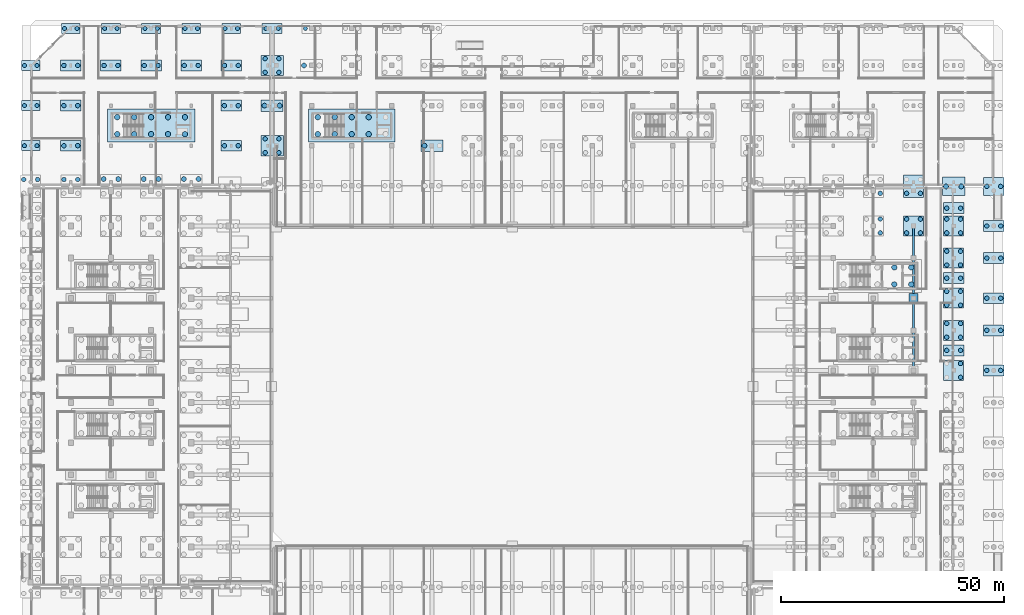
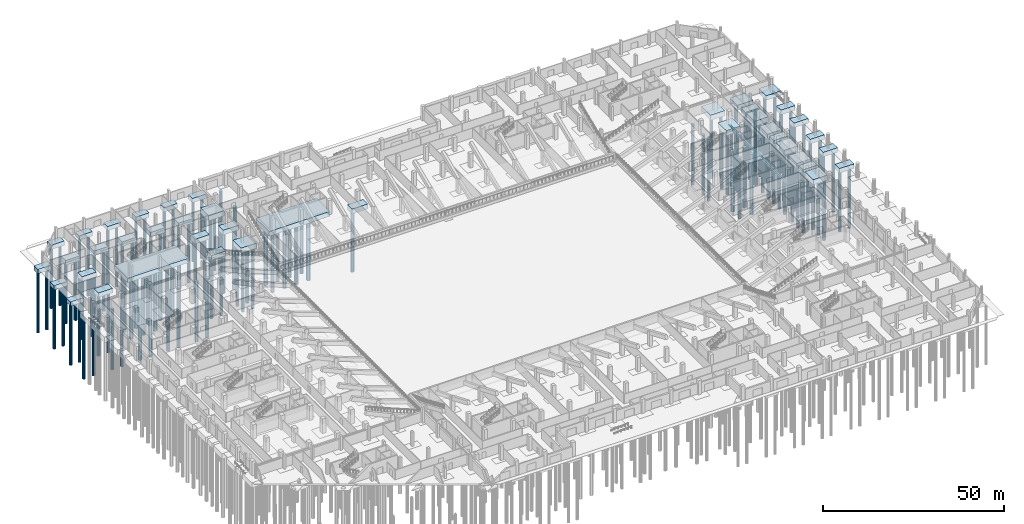
# One storey, part 6 of 53: 128 piles, 43 footings.
"""IFC4 building model written with IfcOpenShell, lengths in metres."""

from ifc_helpers import new_model, si_unit, direction, frame, origin, origin_2d, place, context, subcontext, project, spatial, rectangle, circle, extrude, material, layer, layer_set, material_profile, profile_set, type_object, element, save


model = new_model("IFC4")

# Units and contexts
model_context = context("Model", 3, precision=1e-05, world=origin(), true_north=direction((0.0, 1.0)))
body_context = subcontext(model_context, "Body", "Model", "MODEL_VIEW")
ifc_project = project(units=[si_unit("LENGTHUNIT", "METRE"), si_unit("AREAUNIT", "SQUARE_METRE"), si_unit("VOLUMEUNIT", "CUBIC_METRE"), si_unit("PLANEANGLEUNIT", "RADIAN"), si_unit("MASSUNIT", "GRAM", prefix="KILO"), si_unit("THERMODYNAMICTEMPERATUREUNIT", "KELVIN"), si_unit("POWERUNIT", "WATT")], contexts=[model_context])

# Site, building, storey
site_placement = place(None, origin())
site = spatial("IfcSite", under=ifc_project, at=site_placement, CompositionType="ELEMENT")
building_placement = place(site_placement, origin())
building = spatial("IfcBuilding", under=site, at=building_placement, Name="Sindhuravela Promenade Stadium", CompositionType="ELEMENT")
storey_placement = place(building_placement, origin())
storey = spatial("IfcBuildingStorey", under=building, at=storey_placement, Name="L00", CompositionType="ELEMENT", Elevation=0.0)

# Footings
ifc_material_1 = material(Name="Concrete M40", Category="concrete")
ifc_material_profile_1 = material_profile(ifc_material_1, rectangle(XDim=0.5, YDim=0.800048828125, at=origin_2d()), Name="RC 500x800")
ifc_profile_set_1 = profile_set([ifc_material_profile_1], Name="Concrete M40")
footing_type_1 = type_object("IfcFootingType", Name="FD-FB-500x800", PredefinedType="FOOTING_BEAM", material=ifc_profile_set_1)
footing_1_placement = place(storey_placement, frame((198.0, 84.60009765625, -0.39990234375), z_axis=(0.0, 1.0, 0.0), x_axis=(-1.0, 0.0, 0.0)))
element("IfcFooting", 1, at=footing_1_placement, inside=storey, type_object=footing_type_1, Name="Ground tie beam FB-TIE-E2", PredefinedType="FOOTING_BEAM", context=body_context, shape_type="SweptSolid", body=[
    extrude(rectangle(XDim=0.5, YDim=0.800048828125, at=origin_2d()), origin(), (0.0, 0.0, 1.0), 32.39990234375),
])
ifc_material_2 = material(Name="Concrete M50", Category="concrete")
ifc_layer_1 = layer(ifc_material_2, 1.60009765625)
ifc_layer_set_1 = layer_set([ifc_layer_1], Name="Concrete M50")
footing_type_2 = type_object("IfcFootingType", Name="FD-PC-19400x7400x1600", PredefinedType="PILE_CAP", material=ifc_layer_set_1)
footing_2_placement = place(storey_placement, frame((72.0, 139.5, -1.60009765625), z_axis=(0.0, 0.0, 1.0), x_axis=(1.0, 0.0, 0.0)))
element("IfcFooting", 2, at=footing_2_placement, inside=storey, type_object=footing_type_2, Name="Core pile cap C09", PredefinedType="PILE_CAP", context=body_context, shape_type="SweptSolid", body=[
    extrude(rectangle(XDim=19.39990234375, YDim=7.39990234375, at=origin_2d()), origin(), (0.0, 0.0, 1.0), 1.60009765625),
])
ifc_layer_2 = layer(ifc_material_2, 1.449951171875)
ifc_layer_set_2 = layer_set([ifc_layer_2], Name="Concrete M50")
footing_type_3 = type_object("IfcFootingType", Name="FD-PC-19600x7400x1450", PredefinedType="PILE_CAP", material=ifc_layer_set_2)
footing_3_placement = place(storey_placement, frame((27.0, 139.5, -1.4501953125), z_axis=(0.0, 0.0, 1.0), x_axis=(1.0, 0.0, 0.0)))
element("IfcFooting", 3, at=footing_3_placement, inside=storey, type_object=footing_type_3, Name="Core pile cap C15", PredefinedType="PILE_CAP", context=body_context, shape_type="SweptSolid", body=[
    extrude(rectangle(XDim=19.60009765625, YDim=7.39990234375, at=origin_2d()), origin(), (0.0, 0.0, 1.0), 1.449951171875),
])
ifc_layer_3 = layer(ifc_material_2, 1.449951171875)
ifc_layer_set_3 = layer_set([ifc_layer_3], Name="Concrete M50")
footing_type_4 = type_object("IfcFootingType", Name="FD-PC-4200x2250x1450", PredefinedType="PILE_CAP", material=ifc_layer_set_3)
for number, where, z_axis, x_axis, name in (
    (4, (0.0, 135.0, -1.4501953125), (0.0, 0.0, 1.0), (1.0, 0.0, 0.0), "Pile cap PC30-0313"),
    (5, (0.0, 144.0, -1.4501953125), (0.0, 0.0, 1.0), (1.0, 0.0, 0.0), "Pile cap PC30-0314"),
    (6, (0.0, 153.0, -1.4501953125), (0.0, 0.0, 1.0), (1.0, 0.0, 0.0), "Pile cap PC30-0315"),
    (7, (9.0, 161.300048828125, -1.4501953125), (0.0, 0.0, 1.0), (1.0, 0.0, 0.0), "Pile cap PC30-0319"),
    (8, (18.0, 161.300048828125, -1.4501953125), (0.0, 0.0, 1.0), (1.0, 0.0, 0.0), "Pile cap PC30-0323"),
    (9, (27.0, 161.300048828125, -1.4501953125), (0.0, 0.0, 1.0), (1.0, 0.0, 0.0), "Pile cap PC30-0327"),
    (10, (36.0, 161.300048828125, -1.4501953125), (0.0, 0.0, 1.0), (1.0, 0.0, 0.0), "Pile cap PC30-0331"),
    (11, (45.0, 161.300048828125, -1.4501953125), (0.0, 0.0, 1.0), (1.0, 0.0, 0.0), "Pile cap PC30-0335"),
):
    element("IfcFooting", number, at=place(storey_placement, frame(where, z_axis=z_axis, x_axis=x_axis)), inside=storey, type_object=footing_type_4, Name=name, PredefinedType="PILE_CAP", context=body_context, shape_type="SweptSolid", body=[
        extrude(rectangle(XDim=4.199951171875, YDim=2.25, at=origin_2d()), origin(), (0.0, 0.0, 1.0), 1.449951171875),
    ])
ifc_layer_4 = layer(ifc_material_2, 1.75)
ifc_layer_set_4 = layer_set([ifc_layer_4], Name="Concrete M50")
footing_type_5 = type_object("IfcFootingType", Name="FD-PC-4500x4500x1750", PredefinedType="PILE_CAP", material=ifc_layer_set_4)
for number, where, z_axis, x_axis, name in (
    (12, (198.0, 117.0, -1.75), (0.0, 0.0, 1.0), (1.0, 0.0, 0.0), "Pile cap PC26-0119"),
    (13, (207.0, 84.60009765625, -1.75), (0.0, 0.0, 1.0), (1.0, 0.0, 0.0), "Pile cap PC26-0127"),
    (14, (207.0, 93.60009765625, -1.75), (0.0, 0.0, 1.0), (1.0, 0.0, 0.0), "Pile cap PC26-0128"),
    (15, (207.0, 100.800048828125, -1.75), (0.0, 0.0, 1.0), (1.0, 0.0, 0.0), "Pile cap PC26-0129"),
    (16, (207.0, 109.800048828125, -1.75), (0.0, 0.0, 1.0), (1.0, 0.0, 0.0), "Pile cap PC26-0130"),
    (17, (207.0, 117.0, -1.75), (0.0, 0.0, 1.0), (1.0, 0.0, 0.0), "Pile cap PC26-0131"),
):
    element("IfcFooting", number, at=place(storey_placement, frame(where, z_axis=z_axis, x_axis=x_axis)), inside=storey, type_object=footing_type_5, Name=name, PredefinedType="PILE_CAP", context=body_context, shape_type="SweptSolid", body=[
        extrude(rectangle(XDim=4.5, YDim=4.5, at=origin_2d()), origin(), (0.0, 0.0, 1.0), 1.75),
    ])
ifc_layer_5 = layer(ifc_material_2, 1.75)
ifc_layer_set_5 = layer_set([ifc_layer_5], Name="Concrete M50")
footing_type_6 = type_object("IfcFootingType", Name="FD-PC-4500x5050x1750", PredefinedType="PILE_CAP", material=ifc_layer_set_5)
footing_4_placement = place(storey_placement, frame((198.0, 125.875, -1.75), z_axis=(0.0, 0.0, 1.0), x_axis=(1.0, 0.0, 0.0)))
element("IfcFooting", 18, at=footing_4_placement, inside=storey, type_object=footing_type_6, Name="Pile cap PC17-0120", PredefinedType="PILE_CAP", context=body_context, shape_type="SweptSolid", body=[
    extrude(rectangle(XDim=4.5, YDim=5.050048828125, at=origin_2d()), origin(), (0.0, 0.0, 1.0), 1.75),
])
ifc_layer_6 = layer(ifc_material_2, 1.449951171875)
ifc_layer_set_6 = layer_set([ifc_layer_6], Name="Concrete M50")
footing_type_7 = type_object("IfcFootingType", Name="FD-PC-4550x2250x1450", PredefinedType="PILE_CAP", material=ifc_layer_set_6)
footing_5_placement = place(storey_placement, frame((54.125, 161.300048828125, -1.4501953125), z_axis=(0.0, 0.0, 1.0), x_axis=(1.0, 0.0, 0.0)))
element("IfcFooting", 19, at=footing_5_placement, inside=storey, type_object=footing_type_7, Name="Pile cap PC29-0149", PredefinedType="PILE_CAP", context=body_context, shape_type="SweptSolid", body=[
    extrude(rectangle(XDim=4.550048828125, YDim=2.25, at=origin_2d()), origin(), (0.0, 0.0, 1.0), 1.449951171875),
])
ifc_layer_7 = layer(ifc_material_2, 1.550048828125)
ifc_layer_set_7 = layer_set([ifc_layer_7], Name="Concrete M50")
footing_type_8 = type_object("IfcFootingType", Name="FD-PC-4600x2450x1550", PredefinedType="PILE_CAP", material=ifc_layer_set_7)
for number, where, z_axis, x_axis, name in (
    (20, (216.0, 84.60009765625, -1.5498046875), (0.0, 0.0, 1.0), (1.0, 0.0, 0.0), "Pile cap PC25-0139"),
    (21, (216.0, 93.60009765625, -1.5498046875), (0.0, 0.0, 1.0), (1.0, 0.0, 0.0), "Pile cap PC25-0140"),
    (22, (216.0, 100.800048828125, -1.5498046875), (0.0, 0.0, 1.0), (1.0, 0.0, 0.0), "Pile cap PC25-0141"),
    (23, (216.0, 109.800048828125, -1.5498046875), (0.0, 0.0, 1.0), (1.0, 0.0, 0.0), "Pile cap PC25-0142"),
    (24, (216.0, 117.0, -1.5498046875), (0.0, 0.0, 1.0), (1.0, 0.0, 0.0), "Pile cap PC25-0143"),
    (25, (9.0, 135.0, -1.5498046875), (0.0, 0.0, 1.0), (1.0, 0.0, 0.0), "Pile cap PC25-0316"),
    (26, (9.0, 144.0, -1.5498046875), (0.0, 0.0, 1.0), (1.0, 0.0, 0.0), "Pile cap PC25-0317"),
    (27, (9.0, 153.0, -1.5498046875), (0.0, 0.0, 1.0), (1.0, 0.0, 0.0), "Pile cap PC25-0318"),
    (28, (18.0, 153.0, -1.5498046875), (0.0, 0.0, 1.0), (1.0, 0.0, 0.0), "Pile cap PC25-0322"),
    (29, (27.0, 153.0, -1.5498046875), (0.0, 0.0, 1.0), (1.0, 0.0, 0.0), "Pile cap PC25-0326"),
    (30, (36.0, 153.0, -1.5498046875), (0.0, 0.0, 1.0), (1.0, 0.0, 0.0), "Pile cap PC25-0330"),
    (31, (45.0, 135.0, -1.5498046875), (0.0, 0.0, 1.0), (1.0, 0.0, 0.0), "Pile cap PC25-0332"),
    (32, (45.0, 144.0, -1.5498046875), (0.0, 0.0, 1.0), (1.0, 0.0, 0.0), "Pile cap PC25-0333"),
    (33, (45.0, 153.0, -1.5498046875), (0.0, 0.0, 1.0), (1.0, 0.0, 0.0), "Pile cap PC25-0334"),
    (34, (207.0, 89.10009765625, -1.5498046875), (0.0, 0.0, 1.0), (1.0, 0.0, 0.0), "Pile cap PC25-0366"),
    (35, (207.0, 105.300048828125, -1.5498046875), (0.0, 0.0, 1.0), (1.0, 0.0, 0.0), "Pile cap PC25-0368"),
    (36, (207.0, 121.0, -1.5498046875), (0.0, 0.0, 1.0), (1.0, 0.0, 0.0), "Pile cap PC25-0370"),
):
    element("IfcFooting", number, at=place(storey_placement, frame(where, z_axis=z_axis, x_axis=x_axis)), inside=storey, type_object=footing_type_8, Name=name, PredefinedType="PILE_CAP", context=body_context, shape_type="SweptSolid", body=[
        extrude(rectangle(XDim=4.60009765625, YDim=2.449951171875, at=origin_2d()), origin(), (0.0, 0.0, 1.0), 1.550048828125),
    ])
ifc_layer_8 = layer(ifc_material_2, 1.550048828125)
ifc_layer_set_8 = layer_set([ifc_layer_8], Name="Concrete M50")
footing_type_9 = type_object("IfcFootingType", Name="FD-PC-4600x4100x1550", PredefinedType="PILE_CAP", material=ifc_layer_set_8)
footing_6_placement = place(storey_placement, frame((216.0, 125.875, -1.5498046875), z_axis=(0.0, 0.0, 1.0), x_axis=(1.0, 0.0, 0.0)))
element("IfcFooting", 37, at=footing_6_placement, inside=storey, type_object=footing_type_9, Name="Pile cap PC24-0144", PredefinedType="PILE_CAP", context=body_context, shape_type="SweptSolid", body=[
    extrude(rectangle(XDim=4.60009765625, YDim=4.10009765625, at=origin_2d()), origin(), (0.0, 0.0, 1.0), 1.550048828125),
])
ifc_layer_9 = layer(ifc_material_2, 1.64990234375)
ifc_layer_set_9 = layer_set([ifc_layer_9], Name="Concrete M50")
footing_type_10 = type_object("IfcFootingType", Name="FD-PC-5000x2600x1650", PredefinedType="PILE_CAP", material=ifc_layer_set_9)
for number, where, z_axis, x_axis, name in (
    (38, (54.125, 144.0, -1.64990234375), (0.0, 0.0, 1.0), (1.0, 0.0, 0.0), "Pile cap PC23-0147"),
    (39, (90.0, 135.0, -1.64990234375), (0.0, 0.0, 1.0), (1.0, 0.0, 0.0), "Pile cap PC23-0166"),
):
    element("IfcFooting", number, at=place(storey_placement, frame(where, z_axis=z_axis, x_axis=x_axis)), inside=storey, type_object=footing_type_10, Name=name, PredefinedType="PILE_CAP", context=body_context, shape_type="SweptSolid", body=[
        extrude(rectangle(XDim=5.0, YDim=2.60009765625, at=origin_2d()), origin(), (0.0, 0.0, 1.0), 1.64990234375),
    ])
ifc_layer_10 = layer(ifc_material_2, 1.64990234375)
ifc_layer_set_10 = layer_set([ifc_layer_10], Name="Concrete M50")
footing_type_11 = type_object("IfcFootingType", Name="FD-PC-5000x4150x1650", PredefinedType="PILE_CAP", material=ifc_layer_set_10)
footing_7_placement = place(storey_placement, frame((207.0, 125.875, -1.64990234375), z_axis=(0.0, 0.0, 1.0), x_axis=(1.0, 0.0, 0.0)))
element("IfcFooting", 40, at=footing_7_placement, inside=storey, type_object=footing_type_11, Name="Pile cap PC22-0132", PredefinedType="PILE_CAP", context=body_context, shape_type="SweptSolid", body=[
    extrude(rectangle(XDim=5.0, YDim=4.14990234375, at=origin_2d()), origin(), (0.0, 0.0, 1.0), 1.64990234375),
])
ifc_layer_11 = layer(ifc_material_2, 1.75)
ifc_layer_set_11 = layer_set([ifc_layer_11], Name="Concrete M50")
footing_type_12 = type_object("IfcFootingType", Name="FD-PC-5050x4500x1750", PredefinedType="PILE_CAP", material=ifc_layer_set_11)
for number, where, z_axis, x_axis, name in (
    (41, (54.125, 135.0, -1.75), (0.0, 0.0, 1.0), (1.0, 0.0, 0.0), "Pile cap PC28-0146"),
    (42, (54.125, 153.0, -1.75), (0.0, 0.0, 1.0), (1.0, 0.0, 0.0), "Pile cap PC28-0148"),
):
    element("IfcFooting", number, at=place(storey_placement, frame(where, z_axis=z_axis, x_axis=x_axis)), inside=storey, type_object=footing_type_12, Name=name, PredefinedType="PILE_CAP", context=body_context, shape_type="SweptSolid", body=[
        extrude(rectangle(XDim=5.050048828125, YDim=4.5, at=origin_2d()), origin(), (0.0, 0.0, 1.0), 1.75),
    ])
ifc_layer_12 = layer(ifc_material_2, 1.14990234375)
ifc_layer_set_12 = layer_set([ifc_layer_12], Name="Concrete M50")
footing_type_13 = type_object("IfcFootingType", Name="FD-PF-2100x2100x1150", PredefinedType="PAD_FOOTING", material=ifc_layer_set_12)
footing_8_placement = place(storey_placement, frame((198.0, 100.800048828125, -1.14990234375), z_axis=(0.0, 0.0, 1.0), x_axis=(1.0, 0.0, 0.0)))
element("IfcFooting", 43, at=footing_8_placement, inside=storey, type_object=footing_type_13, Name="Pad footing PF20-0117", PredefinedType="PAD_FOOTING", context=body_context, shape_type="SweptSolid", body=[
    extrude(rectangle(XDim=2.10009765625, YDim=2.10009765625, at=origin_2d()), origin(), (0.0, 0.0, 1.0), 1.14990234375),
])

# Piles
ifc_material_profile_2 = material_profile(ifc_material_1, circle(Radius=0.5, at=origin_2d()), Name="BORED PILE D1000")
ifc_profile_set_2 = profile_set([ifc_material_profile_2], Name="Concrete M40")
pile_type_1 = type_object("IfcPileType", Name="FD-PL-1000", PredefinedType="BORED", material=ifc_profile_set_2)
for number, where, z_axis, x_axis, name in (
    (44, (-1.550048828125, 127.425048828125, -1.64990234375), (0.0, 0.0, -1.0), (1.0, 0.0, 0.0), "Bored pile P1000-0207"),
    (45, (1.550048828125, 127.425048828125, -1.64990234375), (0.0, 0.0, -1.0), (1.0, 0.0, 0.0), "Bored pile P1000-0208"),
    (46, (7.449951171875, 127.425048828125, -1.64990234375), (0.0, 0.0, -1.0), (1.0, 0.0, 0.0), "Bored pile P1000-0223"),
    (47, (10.550048828125, 127.425048828125, -1.64990234375), (0.0, 0.0, -1.0), (1.0, 0.0, 0.0), "Bored pile P1000-0224"),
    (48, (190.550048828125, 115.449951171875, -1.64990234375), (0.0, 0.0, -1.0), (1.0, 0.0, 0.0), "Bored pile P1000-0378"),
    (49, (190.550048828125, 118.550048828125, -1.64990234375), (0.0, 0.0, -1.0), (1.0, 0.0, 0.0), "Bored pile P1000-0380"),
    (50, (190.550048828125, 124.324951171875, -1.64990234375), (0.0, 0.0, -1.0), (1.0, 0.0, 0.0), "Bored pile P1000-0382"),
    (51, (196.449951171875, 115.449951171875, -1.64990234375), (0.0, 0.0, -1.0), (1.0, 0.0, 0.0), "Bored pile P1000-0393"),
    (52, (199.550048828125, 115.449951171875, -1.64990234375), (0.0, 0.0, -1.0), (1.0, 0.0, 0.0), "Bored pile P1000-0394"),
    (53, (196.449951171875, 118.550048828125, -1.64990234375), (0.0, 0.0, -1.0), (1.0, 0.0, 0.0), "Bored pile P1000-0395"),
    (54, (199.550048828125, 118.550048828125, -1.64990234375), (0.0, 0.0, -1.0), (1.0, 0.0, 0.0), "Bored pile P1000-0396"),
    (55, (196.449951171875, 124.324951171875, -1.64990234375), (0.0, 0.0, -1.0), (1.0, 0.0, 0.0), "Bored pile P1000-0397"),
    (56, (199.550048828125, 124.324951171875, -1.64990234375), (0.0, 0.0, -1.0), (1.0, 0.0, 0.0), "Bored pile P1000-0398"),
    (57, (208.550048828125, 83.050048828125, -1.64990234375), (0.0, 0.0, -1.0), (1.0, 0.0, 0.0), "Bored pile P1000-0424"),
    (58, (208.550048828125, 86.14990234375, -1.64990234375), (0.0, 0.0, -1.0), (1.0, 0.0, 0.0), "Bored pile P1000-0426"),
    (59, (205.449951171875, 92.050048828125, -1.64990234375), (0.0, 0.0, -1.0), (1.0, 0.0, 0.0), "Bored pile P1000-0427"),
    (60, (208.550048828125, 92.050048828125, -1.64990234375), (0.0, 0.0, -1.0), (1.0, 0.0, 0.0), "Bored pile P1000-0428"),
    (61, (205.449951171875, 95.14990234375, -1.64990234375), (0.0, 0.0, -1.0), (1.0, 0.0, 0.0), "Bored pile P1000-0429"),
    (62, (208.550048828125, 95.14990234375, -1.64990234375), (0.0, 0.0, -1.0), (1.0, 0.0, 0.0), "Bored pile P1000-0430"),
    (63, (205.449951171875, 99.25, -1.64990234375), (0.0, 0.0, -1.0), (1.0, 0.0, 0.0), "Bored pile P1000-0431"),
    (64, (208.550048828125, 99.25, -1.64990234375), (0.0, 0.0, -1.0), (1.0, 0.0, 0.0), "Bored pile P1000-0432"),
    (65, (205.449951171875, 102.35009765625, -1.64990234375), (0.0, 0.0, -1.0), (1.0, 0.0, 0.0), "Bored pile P1000-0433"),
    (66, (208.550048828125, 102.35009765625, -1.64990234375), (0.0, 0.0, -1.0), (1.0, 0.0, 0.0), "Bored pile P1000-0434"),
    (67, (205.449951171875, 108.25, -1.64990234375), (0.0, 0.0, -1.0), (1.0, 0.0, 0.0), "Bored pile P1000-0435"),
    (68, (208.550048828125, 108.25, -1.64990234375), (0.0, 0.0, -1.0), (1.0, 0.0, 0.0), "Bored pile P1000-0436"),
    (69, (205.449951171875, 111.35009765625, -1.64990234375), (0.0, 0.0, -1.0), (1.0, 0.0, 0.0), "Bored pile P1000-0437"),
    (70, (208.550048828125, 111.35009765625, -1.64990234375), (0.0, 0.0, -1.0), (1.0, 0.0, 0.0), "Bored pile P1000-0438"),
    (71, (205.449951171875, 115.449951171875, -1.64990234375), (0.0, 0.0, -1.0), (1.0, 0.0, 0.0), "Bored pile P1000-0439"),
    (72, (208.550048828125, 115.449951171875, -1.64990234375), (0.0, 0.0, -1.0), (1.0, 0.0, 0.0), "Bored pile P1000-0440"),
    (73, (205.449951171875, 118.550048828125, -1.64990234375), (0.0, 0.0, -1.0), (1.0, 0.0, 0.0), "Bored pile P1000-0441"),
    (74, (208.550048828125, 118.550048828125, -1.64990234375), (0.0, 0.0, -1.0), (1.0, 0.0, 0.0), "Bored pile P1000-0442"),
):
    element("IfcPile", number, at=place(storey_placement, frame(where, z_axis=z_axis, x_axis=x_axis)), inside=storey, type_object=pile_type_1, Name=name, PredefinedType="BORED", context=body_context, shape_type="SweptSolid", body=[
        extrude(circle(Radius=0.5, at=origin_2d()), origin(), (0.0, 0.0, 1.0), 20.35009765625),
    ])
for number, where, z_axis, x_axis, name in (
    (75, (214.449951171875, 84.60009765625, -1.449951171875), (0.0, 0.0, -1.0), (1.0, 0.0, 0.0), "Bored pile P1000-0457"),
    (76, (217.550048828125, 84.60009765625, -1.449951171875), (0.0, 0.0, -1.0), (1.0, 0.0, 0.0), "Bored pile P1000-0458"),
    (77, (214.449951171875, 93.60009765625, -1.449951171875), (0.0, 0.0, -1.0), (1.0, 0.0, 0.0), "Bored pile P1000-0459"),
    (78, (217.550048828125, 93.60009765625, -1.449951171875), (0.0, 0.0, -1.0), (1.0, 0.0, 0.0), "Bored pile P1000-0460"),
    (79, (214.449951171875, 100.800048828125, -1.449951171875), (0.0, 0.0, -1.0), (1.0, 0.0, 0.0), "Bored pile P1000-0461"),
    (80, (217.550048828125, 100.800048828125, -1.449951171875), (0.0, 0.0, -1.0), (1.0, 0.0, 0.0), "Bored pile P1000-0462"),
    (81, (214.449951171875, 109.800048828125, -1.449951171875), (0.0, 0.0, -1.0), (1.0, 0.0, 0.0), "Bored pile P1000-0463"),
    (82, (217.550048828125, 109.800048828125, -1.449951171875), (0.0, 0.0, -1.0), (1.0, 0.0, 0.0), "Bored pile P1000-0464"),
    (83, (214.449951171875, 117.0, -1.449951171875), (0.0, 0.0, -1.0), (1.0, 0.0, 0.0), "Bored pile P1000-0465"),
    (84, (217.550048828125, 117.0, -1.449951171875), (0.0, 0.0, -1.0), (1.0, 0.0, 0.0), "Bored pile P1000-0466"),
    (85, (214.449951171875, 125.875, -1.449951171875), (0.0, 0.0, -1.0), (1.0, 0.0, 0.0), "Bored pile P1000-0467"),
    (86, (217.550048828125, 125.875, -1.449951171875), (0.0, 0.0, -1.0), (1.0, 0.0, 0.0), "Bored pile P1000-0468"),
):
    element("IfcPile", number, at=place(storey_placement, frame(where, z_axis=z_axis, x_axis=x_axis)), inside=storey, type_object=pile_type_1, Name=name, PredefinedType="BORED", context=body_context, shape_type="SweptSolid", body=[
        extrude(circle(Radius=0.5, at=origin_2d()), origin(), (0.0, 0.0, 1.0), 20.550048828125),
    ])
for number, where, z_axis, x_axis, name in (
    (87, (52.574951171875, 133.449951171875, -1.64990234375), (0.0, 0.0, -1.0), (1.0, 0.0, 0.0), "Bored pile P1000-0471"),
    (88, (55.675048828125, 133.449951171875, -1.64990234375), (0.0, 0.0, -1.0), (1.0, 0.0, 0.0), "Bored pile P1000-0472"),
    (89, (52.574951171875, 136.550048828125, -1.64990234375), (0.0, 0.0, -1.0), (1.0, 0.0, 0.0), "Bored pile P1000-0473"),
    (90, (55.675048828125, 136.550048828125, -1.64990234375), (0.0, 0.0, -1.0), (1.0, 0.0, 0.0), "Bored pile P1000-0474"),
    (91, (52.574951171875, 151.449951171875, -1.64990234375), (0.0, 0.0, -1.0), (1.0, 0.0, 0.0), "Bored pile P1000-0477"),
    (92, (55.675048828125, 151.449951171875, -1.64990234375), (0.0, 0.0, -1.0), (1.0, 0.0, 0.0), "Bored pile P1000-0478"),
    (93, (52.574951171875, 154.550048828125, -1.64990234375), (0.0, 0.0, -1.0), (1.0, 0.0, 0.0), "Bored pile P1000-0479"),
    (94, (55.675048828125, 154.550048828125, -1.64990234375), (0.0, 0.0, -1.0), (1.0, 0.0, 0.0), "Bored pile P1000-0480"),
):
    element("IfcPile", number, at=place(storey_placement, frame(where, z_axis=z_axis, x_axis=x_axis)), inside=storey, type_object=pile_type_1, Name=name, PredefinedType="BORED", context=body_context, shape_type="SweptSolid", body=[
        extrude(circle(Radius=0.5, at=origin_2d()), origin(), (0.0, 0.0, 1.0), 20.35009765625),
    ])
for number, where, z_axis, x_axis, name in (
    (95, (7.449951171875, 135.0, -1.449951171875), (0.0, 0.0, -1.0), (1.0, 0.0, 0.0), "Bored pile P1000-0795"),
    (96, (10.550048828125, 135.0, -1.449951171875), (0.0, 0.0, -1.0), (1.0, 0.0, 0.0), "Bored pile P1000-0796"),
    (97, (7.449951171875, 144.0, -1.449951171875), (0.0, 0.0, -1.0), (1.0, 0.0, 0.0), "Bored pile P1000-0797"),
    (98, (10.550048828125, 144.0, -1.449951171875), (0.0, 0.0, -1.0), (1.0, 0.0, 0.0), "Bored pile P1000-0798"),
    (99, (7.449951171875, 153.0, -1.449951171875), (0.0, 0.0, -1.0), (1.0, 0.0, 0.0), "Bored pile P1000-0799"),
    (100, (10.550048828125, 153.0, -1.449951171875), (0.0, 0.0, -1.0), (1.0, 0.0, 0.0), "Bored pile P1000-0800"),
    (101, (16.449951171875, 153.0, -1.449951171875), (0.0, 0.0, -1.0), (1.0, 0.0, 0.0), "Bored pile P1000-0803"),
    (102, (19.550048828125, 153.0, -1.449951171875), (0.0, 0.0, -1.0), (1.0, 0.0, 0.0), "Bored pile P1000-0804"),
    (103, (25.449951171875, 153.0, -1.449951171875), (0.0, 0.0, -1.0), (1.0, 0.0, 0.0), "Bored pile P1000-0807"),
    (104, (28.550048828125, 153.0, -1.449951171875), (0.0, 0.0, -1.0), (1.0, 0.0, 0.0), "Bored pile P1000-0808"),
    (105, (34.449951171875, 153.0, -1.449951171875), (0.0, 0.0, -1.0), (1.0, 0.0, 0.0), "Bored pile P1000-0811"),
    (106, (37.550048828125, 153.0, -1.449951171875), (0.0, 0.0, -1.0), (1.0, 0.0, 0.0), "Bored pile P1000-0812"),
    (107, (43.449951171875, 135.0, -1.449951171875), (0.0, 0.0, -1.0), (1.0, 0.0, 0.0), "Bored pile P1000-0815"),
    (108, (46.550048828125, 135.0, -1.449951171875), (0.0, 0.0, -1.0), (1.0, 0.0, 0.0), "Bored pile P1000-0816"),
    (109, (43.449951171875, 144.0, -1.449951171875), (0.0, 0.0, -1.0), (1.0, 0.0, 0.0), "Bored pile P1000-0817"),
    (110, (46.550048828125, 144.0, -1.449951171875), (0.0, 0.0, -1.0), (1.0, 0.0, 0.0), "Bored pile P1000-0818"),
    (111, (43.449951171875, 153.0, -1.449951171875), (0.0, 0.0, -1.0), (1.0, 0.0, 0.0), "Bored pile P1000-0819"),
    (112, (46.550048828125, 153.0, -1.449951171875), (0.0, 0.0, -1.0), (1.0, 0.0, 0.0), "Bored pile P1000-0820"),
    (113, (205.449951171875, 89.10009765625, -1.449951171875), (0.0, 0.0, -1.0), (1.0, 0.0, 0.0), "Bored pile P1000-0871"),
    (114, (208.550048828125, 89.10009765625, -1.449951171875), (0.0, 0.0, -1.0), (1.0, 0.0, 0.0), "Bored pile P1000-0872"),
    (115, (205.449951171875, 105.300048828125, -1.449951171875), (0.0, 0.0, -1.0), (1.0, 0.0, 0.0), "Bored pile P1000-0875"),
    (116, (208.550048828125, 105.300048828125, -1.449951171875), (0.0, 0.0, -1.0), (1.0, 0.0, 0.0), "Bored pile P1000-0876"),
    (117, (205.449951171875, 121.0, -1.449951171875), (0.0, 0.0, -1.0), (1.0, 0.0, 0.0), "Bored pile P1000-0879"),
    (118, (208.550048828125, 121.0, -1.449951171875), (0.0, 0.0, -1.0), (1.0, 0.0, 0.0), "Bored pile P1000-0880"),
):
    element("IfcPile", number, at=place(storey_placement, frame(where, z_axis=z_axis, x_axis=x_axis)), inside=storey, type_object=pile_type_1, Name=name, PredefinedType="BORED", context=body_context, shape_type="SweptSolid", body=[
        extrude(circle(Radius=0.5, at=origin_2d()), origin(), (0.0, 0.0, 1.0), 20.550048828125),
    ])
ifc_material_profile_3 = material_profile(ifc_material_1, circle(Radius=0.550048828125, at=origin_2d()), Name="BORED PILE D1100")
ifc_profile_set_3 = profile_set([ifc_material_profile_3], Name="Concrete M40")
pile_type_2 = type_object("IfcPileType", Name="FD-PL-1100", PredefinedType="BORED", material=ifc_profile_set_3)
for number, where, z_axis, x_axis, name in (
    (119, (16.35009765625, 127.52490234375, -1.75), (0.0, 0.0, -1.0), (1.0, 0.0, 0.0), "Bored pile P1100-0239"),
    (120, (19.64990234375, 127.52490234375, -1.75), (0.0, 0.0, -1.0), (1.0, 0.0, 0.0), "Bored pile P1100-0240"),
    (121, (25.35009765625, 127.52490234375, -1.75), (0.0, 0.0, -1.0), (1.0, 0.0, 0.0), "Bored pile P1100-0255"),
    (122, (28.64990234375, 127.52490234375, -1.75), (0.0, 0.0, -1.0), (1.0, 0.0, 0.0), "Bored pile P1100-0256"),
    (123, (34.35009765625, 127.52490234375, -1.75), (0.0, 0.0, -1.0), (1.0, 0.0, 0.0), "Bored pile P1100-0303"),
    (124, (37.64990234375, 127.52490234375, -1.75), (0.0, 0.0, -1.0), (1.0, 0.0, 0.0), "Bored pile P1100-0304"),
):
    element("IfcPile", number, at=place(storey_placement, frame(where, z_axis=z_axis, x_axis=x_axis)), inside=storey, type_object=pile_type_2, Name=name, PredefinedType="BORED", context=body_context, shape_type="SweptSolid", body=[
        extrude(circle(Radius=0.550048828125, at=origin_2d()), origin(), (0.0, 0.0, 1.0), 20.25),
    ])
for number, where, z_axis, x_axis, name in (
    (125, (205.300048828125, 125.875, -1.550048828125), (0.0, 0.0, -1.0), (1.0, 0.0, 0.0), "Bored pile P1100-0443"),
    (126, (208.699951171875, 125.875, -1.550048828125), (0.0, 0.0, -1.0), (1.0, 0.0, 0.0), "Bored pile P1100-0444"),
    (127, (52.425048828125, 144.0, -1.550048828125), (0.0, 0.0, -1.0), (1.0, 0.0, 0.0), "Bored pile P1100-0475"),
    (128, (55.824951171875, 144.0, -1.550048828125), (0.0, 0.0, -1.0), (1.0, 0.0, 0.0), "Bored pile P1100-0476"),
    (129, (61.300048828125, 153.0, -1.550048828125), (0.0, 0.0, -1.0), (1.0, 0.0, 0.0), "Bored pile P1100-0485"),
    (130, (88.300048828125, 135.0, -1.550048828125), (0.0, 0.0, -1.0), (1.0, 0.0, 0.0), "Bored pile P1100-0507"),
):
    element("IfcPile", number, at=place(storey_placement, frame(where, z_axis=z_axis, x_axis=x_axis)), inside=storey, type_object=pile_type_2, Name=name, PredefinedType="BORED", context=body_context, shape_type="SweptSolid", body=[
        extrude(circle(Radius=0.550048828125, at=origin_2d()), origin(), (0.0, 0.0, 1.0), 20.449951171875),
    ])
ifc_material_profile_4 = material_profile(ifc_material_1, circle(Radius=0.60009765625, at=origin_2d()), Name="BORED PILE D1200")
ifc_profile_set_4 = profile_set([ifc_material_profile_4], Name="Concrete M40")
pile_type_3 = type_object("IfcPileType", Name="FD-PL-1200", PredefinedType="BORED", material=ifc_profile_set_4)
for number, where, z_axis, x_axis, name in (
    (131, (193.699951171875, 103.89990234375, -1.64990234375), (0.0, 0.0, -1.0), (1.0, 0.0, 0.0), "Bored pile P1200-0077"),
    (132, (193.699951171875, 107.699951171875, -1.64990234375), (0.0, 0.0, -1.0), (1.0, 0.0, 0.0), "Bored pile P1200-0078"),
    (133, (197.5, 103.89990234375, -1.64990234375), (0.0, 0.0, -1.0), (1.0, 0.0, 0.0), "Bored pile P1200-0079"),
    (134, (197.5, 107.699951171875, -1.64990234375), (0.0, 0.0, -1.0), (1.0, 0.0, 0.0), "Bored pile P1200-0080"),
):
    element("IfcPile", number, at=place(storey_placement, frame(where, z_axis=z_axis, x_axis=x_axis)), inside=storey, type_object=pile_type_3, Name=name, PredefinedType="BORED", context=body_context, shape_type="SweptSolid", body=[
        extrude(circle(Radius=0.60009765625, at=origin_2d()), origin(), (0.0, 0.0, 1.0), 20.35009765625),
    ])
for number, where, z_axis, x_axis, name in (
    (135, (64.39990234375, 137.60009765625, -1.5), (0.0, 0.0, -1.0), (1.0, 0.0, 0.0), "Bored pile P1200-0081"),
    (136, (64.39990234375, 141.39990234375, -1.5), (0.0, 0.0, -1.0), (1.0, 0.0, 0.0), "Bored pile P1200-0082"),
    (137, (68.199951171875, 137.60009765625, -1.5), (0.0, 0.0, -1.0), (1.0, 0.0, 0.0), "Bored pile P1200-0083"),
    (138, (68.199951171875, 141.39990234375, -1.5), (0.0, 0.0, -1.0), (1.0, 0.0, 0.0), "Bored pile P1200-0084"),
    (139, (72.0, 137.60009765625, -1.5), (0.0, 0.0, -1.0), (1.0, 0.0, 0.0), "Bored pile P1200-0085"),
    (140, (72.0, 141.39990234375, -1.5), (0.0, 0.0, -1.0), (1.0, 0.0, 0.0), "Bored pile P1200-0086"),
    (141, (75.800048828125, 137.60009765625, -1.5), (0.0, 0.0, -1.0), (1.0, 0.0, 0.0), "Bored pile P1200-0087"),
    (142, (75.800048828125, 141.39990234375, -1.5), (0.0, 0.0, -1.0), (1.0, 0.0, 0.0), "Bored pile P1200-0088"),
):
    element("IfcPile", number, at=place(storey_placement, frame(where, z_axis=z_axis, x_axis=x_axis)), inside=storey, type_object=pile_type_3, Name=name, PredefinedType="BORED", context=body_context, shape_type="SweptSolid", body=[
        extrude(circle(Radius=0.60009765625, at=origin_2d()), origin(), (0.0, 0.0, 1.0), 20.5),
    ])
for number, where, z_axis, x_axis, name in (
    (143, (19.39990234375, 137.60009765625, -1.35009765625), (0.0, 0.0, -1.0), (1.0, 0.0, 0.0), "Bored pile P1200-0141"),
    (144, (19.39990234375, 141.39990234375, -1.35009765625), (0.0, 0.0, -1.0), (1.0, 0.0, 0.0), "Bored pile P1200-0142"),
    (145, (23.199951171875, 137.60009765625, -1.35009765625), (0.0, 0.0, -1.0), (1.0, 0.0, 0.0), "Bored pile P1200-0143"),
    (146, (23.199951171875, 141.39990234375, -1.35009765625), (0.0, 0.0, -1.0), (1.0, 0.0, 0.0), "Bored pile P1200-0144"),
    (147, (27.0, 137.60009765625, -1.35009765625), (0.0, 0.0, -1.0), (1.0, 0.0, 0.0), "Bored pile P1200-0145"),
    (148, (27.0, 141.39990234375, -1.35009765625), (0.0, 0.0, -1.0), (1.0, 0.0, 0.0), "Bored pile P1200-0146"),
    (149, (30.800048828125, 137.60009765625, -1.35009765625), (0.0, 0.0, -1.0), (1.0, 0.0, 0.0), "Bored pile P1200-0147"),
    (150, (30.800048828125, 141.39990234375, -1.35009765625), (0.0, 0.0, -1.0), (1.0, 0.0, 0.0), "Bored pile P1200-0148"),
    (151, (34.60009765625, 137.60009765625, -1.35009765625), (0.0, 0.0, -1.0), (1.0, 0.0, 0.0), "Bored pile P1200-0149"),
    (152, (34.60009765625, 141.39990234375, -1.35009765625), (0.0, 0.0, -1.0), (1.0, 0.0, 0.0), "Bored pile P1200-0150"),
):
    element("IfcPile", number, at=place(storey_placement, frame(where, z_axis=z_axis, x_axis=x_axis)), inside=storey, type_object=pile_type_3, Name=name, PredefinedType="BORED", context=body_context, shape_type="SweptSolid", body=[
        extrude(circle(Radius=0.60009765625, at=origin_2d()), origin(), (0.0, 0.0, 1.0), 20.64990234375),
    ])
ifc_material_profile_5 = material_profile(ifc_material_1, circle(Radius=0.449951171875, at=origin_2d()), Name="BORED PILE D900")
ifc_profile_set_5 = profile_set([ifc_material_profile_5], Name="Concrete M40")
pile_type_4 = type_object("IfcPileType", Name="FD-PL-900", PredefinedType="BORED", material=ifc_profile_set_5)
for number, where, z_axis, x_axis, name in (
    (153, (52.72509765625, 161.300048828125, -1.35009765625), (0.0, 0.0, -1.0), (1.0, 0.0, 0.0), "Bored pile P900-0481"),
    (154, (55.52490234375, 161.300048828125, -1.35009765625), (0.0, 0.0, -1.0), (1.0, 0.0, 0.0), "Bored pile P900-0482"),
    (155, (61.60009765625, 161.300048828125, -1.35009765625), (0.0, 0.0, -1.0), (1.0, 0.0, 0.0), "Bored pile P900-0487"),
    (156, (-1.39990234375, 135.0, -1.35009765625), (0.0, 0.0, -1.0), (1.0, 0.0, 0.0), "Bored pile P900-0789"),
    (157, (1.39990234375, 135.0, -1.35009765625), (0.0, 0.0, -1.0), (1.0, 0.0, 0.0), "Bored pile P900-0790"),
    (158, (-1.39990234375, 144.0, -1.35009765625), (0.0, 0.0, -1.0), (1.0, 0.0, 0.0), "Bored pile P900-0791"),
    (159, (1.39990234375, 144.0, -1.35009765625), (0.0, 0.0, -1.0), (1.0, 0.0, 0.0), "Bored pile P900-0792"),
    (160, (-1.39990234375, 153.0, -1.35009765625), (0.0, 0.0, -1.0), (1.0, 0.0, 0.0), "Bored pile P900-0793"),
    (161, (1.39990234375, 153.0, -1.35009765625), (0.0, 0.0, -1.0), (1.0, 0.0, 0.0), "Bored pile P900-0794"),
    (162, (7.60009765625, 161.300048828125, -1.35009765625), (0.0, 0.0, -1.0), (1.0, 0.0, 0.0), "Bored pile P900-0801"),
    (163, (10.39990234375, 161.300048828125, -1.35009765625), (0.0, 0.0, -1.0), (1.0, 0.0, 0.0), "Bored pile P900-0802"),
    (164, (16.60009765625, 161.300048828125, -1.35009765625), (0.0, 0.0, -1.0), (1.0, 0.0, 0.0), "Bored pile P900-0805"),
    (165, (19.39990234375, 161.300048828125, -1.35009765625), (0.0, 0.0, -1.0), (1.0, 0.0, 0.0), "Bored pile P900-0806"),
    (166, (25.60009765625, 161.300048828125, -1.35009765625), (0.0, 0.0, -1.0), (1.0, 0.0, 0.0), "Bored pile P900-0809"),
    (167, (28.39990234375, 161.300048828125, -1.35009765625), (0.0, 0.0, -1.0), (1.0, 0.0, 0.0), "Bored pile P900-0810"),
    (168, (34.60009765625, 161.300048828125, -1.35009765625), (0.0, 0.0, -1.0), (1.0, 0.0, 0.0), "Bored pile P900-0813"),
    (169, (37.39990234375, 161.300048828125, -1.35009765625), (0.0, 0.0, -1.0), (1.0, 0.0, 0.0), "Bored pile P900-0814"),
    (170, (43.60009765625, 161.300048828125, -1.35009765625), (0.0, 0.0, -1.0), (1.0, 0.0, 0.0), "Bored pile P900-0821"),
    (171, (46.39990234375, 161.300048828125, -1.35009765625), (0.0, 0.0, -1.0), (1.0, 0.0, 0.0), "Bored pile P900-0822"),
):
    element("IfcPile", number, at=place(storey_placement, frame(where, z_axis=z_axis, x_axis=x_axis)), inside=storey, type_object=pile_type_4, Name=name, PredefinedType="BORED", context=body_context, shape_type="SweptSolid", body=[
        extrude(circle(Radius=0.449951171875, at=origin_2d()), origin(), (0.0, 0.0, 1.0), 20.64990234375),
    ])

save(model, "model.ifc")
